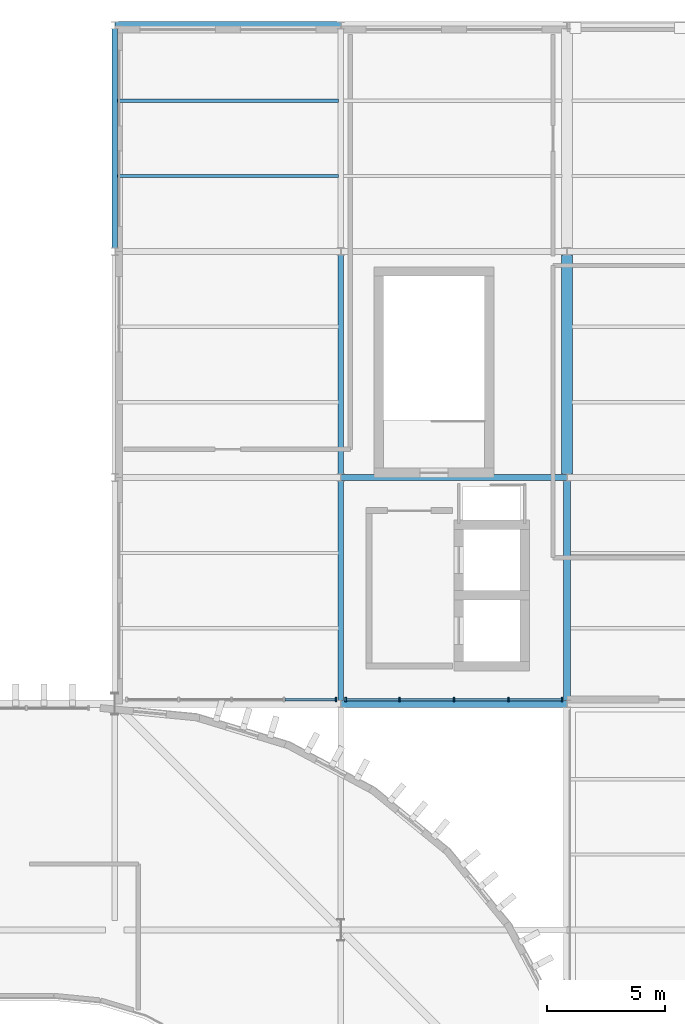
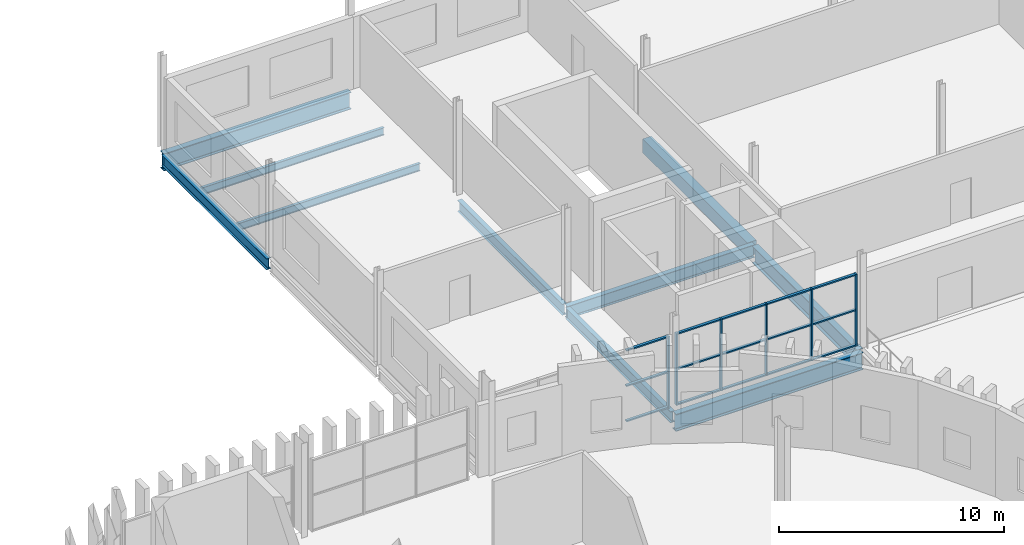
# One storey, part 24 of 45: 21 members, 10 beams, 2 elements without a shape of their own.
"""IFC4 building model written with IfcOpenShell, lengths in metres."""

from ifc_helpers import new_model, si_unit, direction, frame, origin, origin_2d, place, context, subcontext, project, spatial, rectangle, i_section, extrude, material, layer, layer_set, material_profile, profile_set, type_object, element, aggregate, save


model = new_model("IFC4")

# Units and contexts
model_context = context("Model", 3, precision=1e-05, world=origin(), true_north=direction((0.0, 1.0)))
body_context = subcontext(model_context, "Body", "Model", "MODEL_VIEW")
ifc_project = project(units=[si_unit("LENGTHUNIT", "METRE"), si_unit("AREAUNIT", "SQUARE_METRE"), si_unit("VOLUMEUNIT", "CUBIC_METRE"), si_unit("PLANEANGLEUNIT", "RADIAN"), si_unit("MASSUNIT", "GRAM", prefix="KILO")], contexts=[model_context])

# Site, building, storey
site_placement = place(None, origin())
site = spatial("IfcSite", under=ifc_project, at=site_placement, CompositionType="ELEMENT")
building_placement = place(site_placement, origin())
building = spatial("IfcBuilding", under=site, at=building_placement, Name="Caelomonte Colonnade Arena", CompositionType="ELEMENT")
storey_placement = place(building_placement, frame((0.0, 0.0, 23.10009765625)))
storey = spatial("IfcBuildingStorey", under=building, at=storey_placement, Name="L05", CompositionType="ELEMENT", Elevation=23.10009765625)

# Curtain wall, member
ifc_material_1 = material(Name="Bronze anodised aluminium and low-E glazing", Category="aluminium")
ifc_layer = layer(ifc_material_1, 0.179931640625)
ifc_layer_set = layer_set([ifc_layer], Name="Bronze anodised aluminium and low-E glazing")
curtain_wall_type = type_object("IfcCurtainWallType", Name="ENV-CW-CW-L05-96-39", PredefinedType="USERDEFINED", material=ifc_layer_set)
curtain_wall_1_placement = place(storey_placement, origin())
curtain_wall_1 = element("IfcCurtainWall", 1, at=curtain_wall_1_placement, inside=storey, type_object=curtain_wall_type, Name="L05 unitized curtain wall CW-L05-1488-1154", ObjectType="UNITIZED CURTAIN WALL", PredefinedType="USERDEFINED")
ifc_material_2 = material(Name="Bronze anodised aluminium AA6063-T6", Category="aluminium")
ifc_material_profile_1 = material_profile(ifc_material_2, rectangle(XDim=0.070068359375, YDim=0.179931640625, at=origin_2d()), Name="CWM-70X180")
ifc_profile_set_1 = profile_set([ifc_material_profile_1], Name="Bronze anodised aluminium AA6063-T6")
member_type_1 = type_object("IfcMemberType", Name="ENV-CW-MULL1", PredefinedType="MULLION", material=ifc_profile_set_1)
member_1_placement = place(storey_placement, frame((153.39111328125, 115.3798828125, 0.0), z_axis=(0.0, 0.0, 1.0), x_axis=(1.0, 0.0, 0.0)))
member_1 = element("IfcMember", 2, at=member_1_placement, type_object=member_type_1, Name="CW-L05-96-39 mullion 5", PredefinedType="MULLION", context=body_context, shape_type="SweptSolid", body=[
    extrude(rectangle(XDim=0.070068359375, YDim=0.179931640625, at=origin_2d()), origin(), (0.0, 0.0, 1.0), 3.892822265625),
])

# Curtain wall, members
curtain_wall_2_placement = place(storey_placement, origin())
curtain_wall_2 = element("IfcCurtainWall", 3, at=curtain_wall_2_placement, inside=storey, type_object=curtain_wall_type, Name="L05 unitized curtain wall CW-L05-1584-1154", ObjectType="UNITIZED CURTAIN WALL", PredefinedType="USERDEFINED")
member_2_placement = place(storey_placement, frame((153.808837890625, 115.3798828125, 0.0), z_axis=(0.0, 0.0, 1.0), x_axis=(1.0, 0.0, 0.0)))
member_2 = element("IfcMember", 4, at=member_2_placement, type_object=member_type_1, Name="CW-L05-96-39 mullion 1", PredefinedType="MULLION", context=body_context, shape_type="SweptSolid", body=[
    extrude(rectangle(XDim=0.070068359375, YDim=0.179931640625, at=origin_2d()), origin(), (0.0, 0.0, 1.0), 3.892822265625),
])
member_3_placement = place(storey_placement, frame((156.0869140625, 115.3798828125, 0.0), z_axis=(0.0, 0.0, 1.0), x_axis=(1.0, 0.0, 0.0)))
member_3 = element("IfcMember", 5, at=member_3_placement, type_object=member_type_1, Name="CW-L05-96-39 mullion 2", PredefinedType="MULLION", context=body_context, shape_type="SweptSolid", body=[
    extrude(rectangle(XDim=0.070068359375, YDim=0.179931640625, at=origin_2d()), origin(), (0.0, 0.0, 1.0), 3.892822265625),
])
member_4_placement = place(storey_placement, frame((158.39990234375, 115.3798828125, 0.0), z_axis=(0.0, 0.0, 1.0), x_axis=(1.0, 0.0, 0.0)))
member_4 = element("IfcMember", 6, at=member_4_placement, type_object=member_type_1, Name="CW-L05-96-39 mullion 3", PredefinedType="MULLION", context=body_context, shape_type="SweptSolid", body=[
    extrude(rectangle(XDim=0.070068359375, YDim=0.179931640625, at=origin_2d()), origin(), (0.0, 0.0, 1.0), 3.892822265625),
])
member_5_placement = place(storey_placement, frame((160.713134765625, 115.3798828125, 0.0), z_axis=(0.0, 0.0, 1.0), x_axis=(1.0, 0.0, 0.0)))
member_5 = element("IfcMember", 7, at=member_5_placement, type_object=member_type_1, Name="CW-L05-96-39 mullion 4", PredefinedType="MULLION", context=body_context, shape_type="SweptSolid", body=[
    extrude(rectangle(XDim=0.070068359375, YDim=0.179931640625, at=origin_2d()), origin(), (0.0, 0.0, 1.0), 3.892822265625),
])
member_6_placement = place(storey_placement, frame((162.9912109375, 115.3798828125, 0.0), z_axis=(0.0, 0.0, 1.0), x_axis=(1.0, 0.0, 0.0)))
member_6 = element("IfcMember", 8, at=member_6_placement, type_object=member_type_1, Name="CW-L05-96-39 mullion 5", PredefinedType="MULLION", context=body_context, shape_type="SweptSolid", body=[
    extrude(rectangle(XDim=0.070068359375, YDim=0.179931640625, at=origin_2d()), origin(), (0.0, 0.0, 1.0), 3.892822265625),
])

# Member
ifc_material_profile_2 = material_profile(ifc_material_2, rectangle(XDim=0.070068359375, YDim=0.139892578125, at=origin_2d()), Name="CWT-70X140")
ifc_profile_set_2 = profile_set([ifc_material_profile_2], Name="Bronze anodised aluminium AA6063-T6")
member_type_2 = type_object("IfcMemberType", Name="ENV-CW-TRAN1", PredefinedType="USERDEFINED", material=ifc_profile_set_2)
member_7_placement = place(storey_placement, frame((151.223876953125, 115.3798828125, 0.034912109375), z_axis=(1.0, 0.0, 0.0), x_axis=(0.0, 0.0, 1.0)))
member_7 = element("IfcMember", 9, at=member_7_placement, type_object=member_type_2, Name="CW-L05-96-39 transom 4.1", ObjectType="TRANSOM", PredefinedType="USERDEFINED", context=body_context, shape_type="SweptSolid", body=[
    extrude(rectangle(XDim=0.070068359375, YDim=0.139892578125, at=origin_2d()), origin(), (0.0, 0.0, 1.0), 2.13232421875),
])

member_8_placement = place(storey_placement, frame((151.223876953125, 115.3798828125, 1.9462890625), z_axis=(1.0, 0.0, 0.0), x_axis=(0.0, 0.0, 1.0)))
member_8 = element("IfcMember", 10, at=member_8_placement, type_object=member_type_2, Name="CW-L05-96-39 transom 4.2", ObjectType="TRANSOM", PredefinedType="USERDEFINED", context=body_context, shape_type="SweptSolid", body=[
    extrude(rectangle(XDim=0.070068359375, YDim=0.139892578125, at=origin_2d()), origin(), (0.0, 0.0, 1.0), 2.13232421875),
])

member_9_placement = place(storey_placement, frame((151.223876953125, 115.3798828125, 3.85791015625), z_axis=(1.0, 0.0, 0.0), x_axis=(0.0, 0.0, 1.0)))
member_9 = element("IfcMember", 11, at=member_9_placement, type_object=member_type_2, Name="CW-L05-96-39 transom 4.3", ObjectType="TRANSOM", PredefinedType="USERDEFINED", context=body_context, shape_type="SweptSolid", body=[
    extrude(rectangle(XDim=0.070068359375, YDim=0.139892578125, at=origin_2d()), origin(), (0.0, 0.0, 1.0), 2.13232421875),
])

aggregate(curtain_wall_1, [member_1, member_7, member_8, member_9])

member_10_placement = place(storey_placement, frame((153.843994140625, 115.3798828125, 0.034912109375), z_axis=(1.0, 0.0, 0.0), x_axis=(0.0, 0.0, 1.0)))
member_10 = element("IfcMember", 12, at=member_10_placement, type_object=member_type_2, Name="CW-L05-96-39 transom 1.1", ObjectType="TRANSOM", PredefinedType="USERDEFINED", context=body_context, shape_type="SweptSolid", body=[
    extrude(rectangle(XDim=0.070068359375, YDim=0.139892578125, at=origin_2d()), origin(), (0.0, 0.0, 1.0), 2.2080078125),
])

member_11_placement = place(storey_placement, frame((153.843994140625, 115.3798828125, 1.9462890625), z_axis=(1.0, 0.0, 0.0), x_axis=(0.0, 0.0, 1.0)))
member_11 = element("IfcMember", 13, at=member_11_placement, type_object=member_type_2, Name="CW-L05-96-39 transom 1.2", ObjectType="TRANSOM", PredefinedType="USERDEFINED", context=body_context, shape_type="SweptSolid", body=[
    extrude(rectangle(XDim=0.070068359375, YDim=0.139892578125, at=origin_2d()), origin(), (0.0, 0.0, 1.0), 2.2080078125),
])

member_12_placement = place(storey_placement, frame((153.843994140625, 115.3798828125, 3.85791015625), z_axis=(1.0, 0.0, 0.0), x_axis=(0.0, 0.0, 1.0)))
member_12 = element("IfcMember", 14, at=member_12_placement, type_object=member_type_2, Name="CW-L05-96-39 transom 1.3", ObjectType="TRANSOM", PredefinedType="USERDEFINED", context=body_context, shape_type="SweptSolid", body=[
    extrude(rectangle(XDim=0.070068359375, YDim=0.139892578125, at=origin_2d()), origin(), (0.0, 0.0, 1.0), 2.2080078125),
])

member_13_placement = place(storey_placement, frame((156.1220703125, 115.3798828125, 0.034912109375), z_axis=(1.0, 0.0, 0.0), x_axis=(0.0, 0.0, 1.0)))
member_13 = element("IfcMember", 15, at=member_13_placement, type_object=member_type_2, Name="CW-L05-96-39 transom 2.1", ObjectType="TRANSOM", PredefinedType="USERDEFINED", context=body_context, shape_type="SweptSolid", body=[
    extrude(rectangle(XDim=0.070068359375, YDim=0.139892578125, at=origin_2d()), origin(), (0.0, 0.0, 1.0), 2.242919921875),
])

member_14_placement = place(storey_placement, frame((156.1220703125, 115.3798828125, 1.9462890625), z_axis=(1.0, 0.0, 0.0), x_axis=(0.0, 0.0, 1.0)))
member_14 = element("IfcMember", 16, at=member_14_placement, type_object=member_type_2, Name="CW-L05-96-39 transom 2.2", ObjectType="TRANSOM", PredefinedType="USERDEFINED", context=body_context, shape_type="SweptSolid", body=[
    extrude(rectangle(XDim=0.070068359375, YDim=0.139892578125, at=origin_2d()), origin(), (0.0, 0.0, 1.0), 2.242919921875),
])

member_15_placement = place(storey_placement, frame((156.1220703125, 115.3798828125, 3.85791015625), z_axis=(1.0, 0.0, 0.0), x_axis=(0.0, 0.0, 1.0)))
member_15 = element("IfcMember", 17, at=member_15_placement, type_object=member_type_2, Name="CW-L05-96-39 transom 2.3", ObjectType="TRANSOM", PredefinedType="USERDEFINED", context=body_context, shape_type="SweptSolid", body=[
    extrude(rectangle(XDim=0.070068359375, YDim=0.139892578125, at=origin_2d()), origin(), (0.0, 0.0, 1.0), 2.242919921875),
])

member_16_placement = place(storey_placement, frame((158.43505859375, 115.3798828125, 0.034912109375), z_axis=(1.0, 0.0, 0.0), x_axis=(0.0, 0.0, 1.0)))
member_16 = element("IfcMember", 18, at=member_16_placement, type_object=member_type_2, Name="CW-L05-96-39 transom 3.1", ObjectType="TRANSOM", PredefinedType="USERDEFINED", context=body_context, shape_type="SweptSolid", body=[
    extrude(rectangle(XDim=0.070068359375, YDim=0.139892578125, at=origin_2d()), origin(), (0.0, 0.0, 1.0), 2.242919921875),
])

member_17_placement = place(storey_placement, frame((158.43505859375, 115.3798828125, 1.9462890625), z_axis=(1.0, 0.0, 0.0), x_axis=(0.0, 0.0, 1.0)))
member_17 = element("IfcMember", 19, at=member_17_placement, type_object=member_type_2, Name="CW-L05-96-39 transom 3.2", ObjectType="TRANSOM", PredefinedType="USERDEFINED", context=body_context, shape_type="SweptSolid", body=[
    extrude(rectangle(XDim=0.070068359375, YDim=0.139892578125, at=origin_2d()), origin(), (0.0, 0.0, 1.0), 2.242919921875),
])

member_18_placement = place(storey_placement, frame((158.43505859375, 115.3798828125, 3.85791015625), z_axis=(1.0, 0.0, 0.0), x_axis=(0.0, 0.0, 1.0)))
member_18 = element("IfcMember", 20, at=member_18_placement, type_object=member_type_2, Name="CW-L05-96-39 transom 3.3", ObjectType="TRANSOM", PredefinedType="USERDEFINED", context=body_context, shape_type="SweptSolid", body=[
    extrude(rectangle(XDim=0.070068359375, YDim=0.139892578125, at=origin_2d()), origin(), (0.0, 0.0, 1.0), 2.242919921875),
])

member_19_placement = place(storey_placement, frame((160.748046875, 115.3798828125, 0.034912109375), z_axis=(1.0, 0.0, 0.0), x_axis=(0.0, 0.0, 1.0)))
member_19 = element("IfcMember", 21, at=member_19_placement, type_object=member_type_2, Name="CW-L05-96-39 transom 4.1", ObjectType="TRANSOM", PredefinedType="USERDEFINED", context=body_context, shape_type="SweptSolid", body=[
    extrude(rectangle(XDim=0.070068359375, YDim=0.139892578125, at=origin_2d()), origin(), (0.0, 0.0, 1.0), 2.2080078125),
])

member_20_placement = place(storey_placement, frame((160.748046875, 115.3798828125, 1.9462890625), z_axis=(1.0, 0.0, 0.0), x_axis=(0.0, 0.0, 1.0)))
member_20 = element("IfcMember", 22, at=member_20_placement, type_object=member_type_2, Name="CW-L05-96-39 transom 4.2", ObjectType="TRANSOM", PredefinedType="USERDEFINED", context=body_context, shape_type="SweptSolid", body=[
    extrude(rectangle(XDim=0.070068359375, YDim=0.139892578125, at=origin_2d()), origin(), (0.0, 0.0, 1.0), 2.2080078125),
])

member_21_placement = place(storey_placement, frame((160.748046875, 115.3798828125, 3.85791015625), z_axis=(1.0, 0.0, 0.0), x_axis=(0.0, 0.0, 1.0)))
member_21 = element("IfcMember", 23, at=member_21_placement, type_object=member_type_2, Name="CW-L05-96-39 transom 4.3", ObjectType="TRANSOM", PredefinedType="USERDEFINED", context=body_context, shape_type="SweptSolid", body=[
    extrude(rectangle(XDim=0.070068359375, YDim=0.139892578125, at=origin_2d()), origin(), (0.0, 0.0, 1.0), 2.2080078125),
])

aggregate(curtain_wall_2, [member_2, member_3, member_4, member_5, member_6, member_10, member_11, member_12, member_13, member_14, member_15, member_16, member_17, member_18, member_19, member_20, member_21])

# Beams
ifc_material_3 = material(Name="Wide-flange steel ASTM A992 Grade 50", Category="steel")
ifc_material_profile_3 = material_profile(ifc_material_3, i_section(OverallWidth=0.307861328125, OverallDepth=0.927001953125, WebThickness=0.019287109375, FlangeThickness=0.031982421875, FilletRadius=0.020263671875, at=origin_2d()), Name="W36X194")
ifc_profile_set_3 = profile_set([ifc_material_profile_3], Name="Wide-flange steel ASTM A992 Grade 50")
beam_type_1 = type_object("IfcBeamType", Name="STR-BM-EAVES2", PredefinedType="SPANDREL", material=ifc_profile_set_3)
for number, where, z_axis, x_axis, name in (
    (24, (153.60498046875, 115.199951171875, -0.7236328125), (1.0, 0.0, 0.0), (0.0, 1.0, 0.0), "L05 girder BMX-L05-1536-1152"),
    (25, (144.0048828125, 144.0, -0.7236328125), (1.0, 0.0, 0.0), (0.0, 1.0, 0.0), "L05 girder BMX-L05-1440-1440"),
):
    element("IfcBeam", number, at=place(storey_placement, frame(where, z_axis=z_axis, x_axis=x_axis)), inside=storey, type_object=beam_type_1, Name=name, PredefinedType="SPANDREL", context=body_context, shape_type="SweptSolid", body=[
        extrude(i_section(OverallWidth=0.307861328125, OverallDepth=0.927001953125, WebThickness=0.019287109375, FlangeThickness=0.031982421875, FilletRadius=0.020263671875, at=origin_2d()), origin(), (0.0, 0.0, 1.0), 9.590087890625),
    ])
beam_1_placement = place(storey_placement, frame((163.199951171875, 115.345947265625, -0.7236328125), z_axis=(0.0, 1.0, 0.0), x_axis=(-1.0, 0.0, 0.0)))
element("IfcBeam", 26, at=beam_1_placement, inside=storey, type_object=beam_type_1, Name="L05 girder BMY-L05-1632-1152", PredefinedType="SPANDREL", context=body_context, shape_type="SweptSolid", body=[
    extrude(i_section(OverallWidth=0.307861328125, OverallDepth=0.927001953125, WebThickness=0.019287109375, FlangeThickness=0.031982421875, FilletRadius=0.020263671875, at=origin_2d()), origin(), (0.0, 0.0, 1.0), 9.30810546875),
])
ifc_material_profile_4 = material_profile(ifc_material_3, i_section(OverallWidth=0.227783203125, OverallDepth=0.60205078125, WebThickness=0.010498046875, FlangeThickness=0.014892578125, FilletRadius=0.0126953125, at=origin_2d()), Name="W24X68")
ifc_profile_set_4 = profile_set([ifc_material_profile_4], Name="Wide-flange steel ASTM A992 Grade 50")
beam_type_2 = type_object("IfcBeamType", Name="STR-BM-GIRD24B", PredefinedType="SPANDREL", material=ifc_profile_set_4)
for number, where, z_axis, x_axis, name in (
    (27, (144.0, 134.5458984375, -0.56103515625), (0.0, 1.0, 0.0), (-1.0, 0.0, 0.0), "L05 girder BMY-L05-1440-1344"),
    (28, (153.60009765625, 115.345947265625, -0.56103515625), (0.0, 1.0, 0.0), (-1.0, 0.0, 0.0), "L05 girder BMY-L05-1536-1152"),
):
    element("IfcBeam", number, at=place(storey_placement, frame(where, z_axis=z_axis, x_axis=x_axis)), inside=storey, type_object=beam_type_2, Name=name, PredefinedType="SPANDREL", context=body_context, shape_type="SweptSolid", body=[
        extrude(i_section(OverallWidth=0.227783203125, OverallDepth=0.60205078125, WebThickness=0.010498046875, FlangeThickness=0.014892578125, FilletRadius=0.0126953125, at=origin_2d()), origin(), (0.0, 0.0, 1.0), 9.30810546875),
    ])
beam_2_placement = place(storey_placement, frame((153.60009765625, 124.94580078125, -0.56103515625), z_axis=(0.0, 1.0, 0.0), x_axis=(-1.0, 0.0, 0.0)))
element("IfcBeam", 29, at=beam_2_placement, inside=storey, type_object=beam_type_2, Name="L05 girder BMY-L05-1536-1248", PredefinedType="SPANDREL", context=body_context, shape_type="SweptSolid", body=[
    extrude(i_section(OverallWidth=0.227783203125, OverallDepth=0.60205078125, WebThickness=0.010498046875, FlangeThickness=0.014892578125, FilletRadius=0.0126953125, at=origin_2d()), origin(), (0.0, 0.0, 1.0), 9.308349609375),
])
ifc_material_profile_5 = material_profile(ifc_material_3, i_section(OverallWidth=0.2529296875, OverallDepth=0.67822265625, WebThickness=0.01171875, FlangeThickness=0.016357421875, FilletRadius=0.01513671875, at=origin_2d()), Name="W27X84")
ifc_profile_set_5 = profile_set([ifc_material_profile_5], Name="Wide-flange steel ASTM A992 Grade 50")
beam_type_3 = type_object("IfcBeamType", Name="STR-BM-GIRD27B", PredefinedType="BEAM", material=ifc_profile_set_5)
beam_3_placement = place(storey_placement, frame((153.60498046875, 124.800048828125, -0.59912109375), z_axis=(1.0, 0.0, 0.0), x_axis=(0.0, 1.0, 0.0)))
element("IfcBeam", 30, at=beam_3_placement, inside=storey, type_object=beam_type_3, Name="L05 girder BMX-L05-1536-1248", PredefinedType="BEAM", context=body_context, shape_type="SweptSolid", body=[
    extrude(i_section(OverallWidth=0.2529296875, OverallDepth=0.67822265625, WebThickness=0.01171875, FlangeThickness=0.016357421875, FilletRadius=0.01513671875, at=origin_2d()), origin(), (0.0, 0.0, 1.0), 9.590087890625),
])
ifc_material_profile_6 = material_profile(ifc_material_3, i_section(OverallWidth=0.140380859375, OverallDepth=0.40380859375, WebThickness=0.007080078125, FlangeThickness=0.01123046875, FilletRadius=0.01025390625, at=origin_2d()), Name="W16X31")
ifc_profile_set_6 = profile_set([ifc_material_profile_6], Name="Wide-flange steel ASTM A992 Grade 50")
beam_type_4 = type_object("IfcBeamType", Name="STR-BM-JOIST16B", PredefinedType="JOIST", material=ifc_profile_set_6)
for number, where, z_axis, x_axis, name in (
    (31, (144.10888671875, 137.60009765625, -0.462158203125), (1.0, 0.0, 0.0), (0.0, 1.0, 0.0), "L05 secondary joist 1"),
    (32, (144.10888671875, 140.800048828125, -0.462158203125), (1.0, 0.0, 0.0), (0.0, 1.0, 0.0), "L05 secondary joist 2"),
):
    element("IfcBeam", number, at=place(storey_placement, frame(where, z_axis=z_axis, x_axis=x_axis)), inside=storey, type_object=beam_type_4, Name=name, PredefinedType="JOIST", context=body_context, shape_type="SweptSolid", body=[
        extrude(i_section(OverallWidth=0.140380859375, OverallDepth=0.40380859375, WebThickness=0.007080078125, FlangeThickness=0.01123046875, FilletRadius=0.01025390625, at=origin_2d()), origin(), (0.0, 0.0, 1.0), 9.38232421875),
    ])
ifc_material_4 = material(Name="Concrete C40/50", Category="concrete")
ifc_material_profile_7 = material_profile(ifc_material_4, rectangle(XDim=0.449951171875, YDim=0.75, at=origin_2d()), Name="RC450X750")
ifc_profile_set_7 = profile_set([ifc_material_profile_7], Name="Concrete C40/50")
beam_type_5 = type_object("IfcBeamType", Name="STR-BM-SPAN24", PredefinedType="SPANDREL", material=ifc_profile_set_7)
beam_4_placement = place(storey_placement, frame((163.199951171875, 124.94580078125, -0.635009765625), z_axis=(0.0, 1.0, 0.0), x_axis=(-1.0, 0.0, 0.0)))
element("IfcBeam", 33, at=beam_4_placement, inside=storey, type_object=beam_type_5, Name="L05 girder BMY-L05-1632-1248", PredefinedType="SPANDREL", context=body_context, shape_type="SweptSolid", body=[
    extrude(rectangle(XDim=0.449951171875, YDim=0.75, at=origin_2d()), origin(), (0.0, 0.0, 1.0), 9.308349609375),
])

save(model, "model.ifc")
